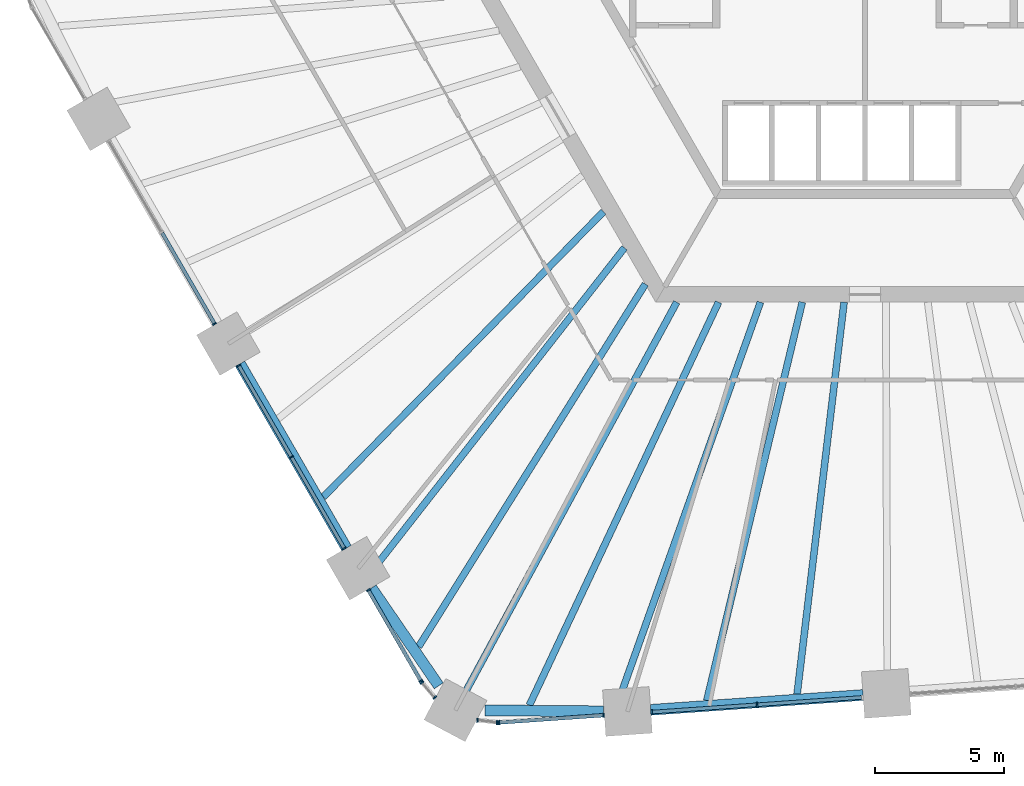
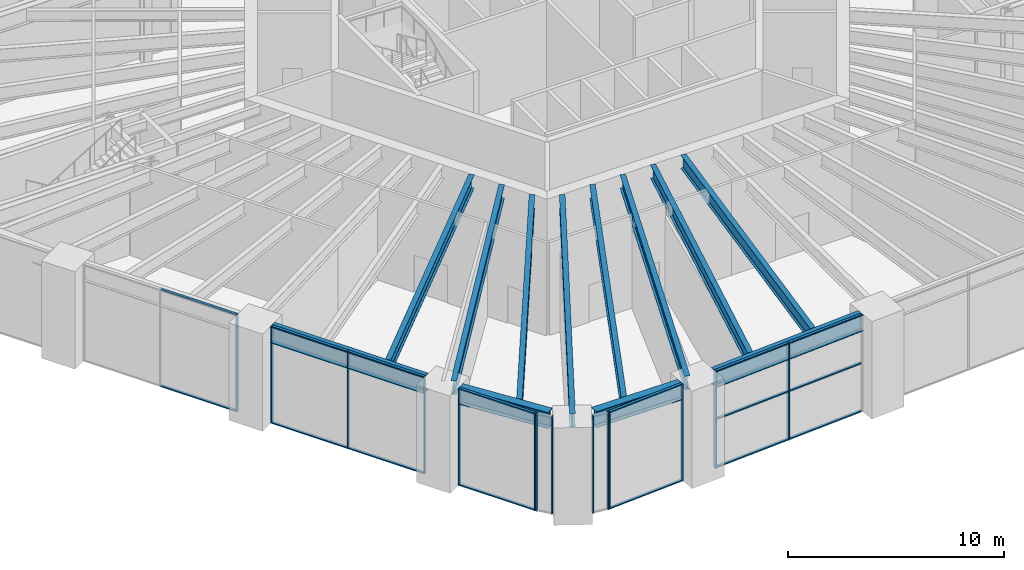
# One storey, part 3 of 30: 30 members, 12 beams, 7 elements without a shape of their own.
"""IFC4 building model written with IfcOpenShell, lengths in metres."""

from ifc_helpers import new_model, si_unit, direction, frame, origin, origin_2d, place, context, subcontext, project, spatial, rectangle, i_section, extrude, material, material_profile, profile_set, type_object, element, aggregate, save


model = new_model("IFC4")

# Units and contexts
model_context = context("Model", 3, precision=1e-05, world=origin(), true_north=direction((0.0, 1.0)))
body_context = subcontext(model_context, "Body", "Model", "MODEL_VIEW")
ifc_project = project(units=[si_unit("LENGTHUNIT", "METRE"), si_unit("AREAUNIT", "SQUARE_METRE"), si_unit("VOLUMEUNIT", "CUBIC_METRE"), si_unit("PLANEANGLEUNIT", "RADIAN"), si_unit("MASSUNIT", "GRAM", prefix="KILO")], contexts=[model_context])

# Site, building, storey
site_placement = place(None, origin())
site = spatial("IfcSite", under=ifc_project, at=site_placement, CompositionType="ELEMENT")
building_placement = place(site_placement, origin())
building = spatial("IfcBuilding", under=site, at=building_placement, Name="Tarnside Tower", CompositionType="ELEMENT")
storey_placement = place(building_placement, frame((0.0, 0.0, 15.0)))
storey = spatial("IfcBuildingStorey", under=building, at=storey_placement, Name="L02", CompositionType="ELEMENT", Elevation=15.0)

# Beams
ifc_material_1 = material(Name="Steel S355", Category="steel")
ifc_material_profile_1 = material_profile(ifc_material_1, i_section(OverallWidth=0.26513671875, OverallDepth=0.75390625, WebThickness=0.0126953125, FlangeThickness=0.017578125, FilletRadius=0.0166015625, at=origin_2d()), Name="UB 762x267x147")
ifc_profile_set_1 = profile_set([ifc_material_profile_1], Name="Steel S355")
beam_type_1 = type_object("IfcBeamType", Name="Floor beam UB 762x267x147", PredefinedType="BEAM", material=ifc_profile_set_1)
beam_1_placement = place(storey_placement, frame((-20.9296875, -21.528076171875, 4.873046875), z_axis=(0.700544155211, 0.713609057258, 0.0), x_axis=(-0.713609057258, 0.700544155211, 0.0)))
element("IfcBeam", 1, at=beam_1_placement, inside=storey, type_object=beam_type_1, Name="Floor beam F3.07", PredefinedType="BEAM", context=body_context, shape_type="SweptSolid", body=[
    extrude(i_section(OverallWidth=0.26513671875, OverallDepth=0.75390625, WebThickness=0.0126953125, FlangeThickness=0.017578125, FilletRadius=0.0166015625, at=origin_2d()), origin(), (0.0, 0.0, 1.0), 15.453857421875),
])
beam_2_placement = place(storey_placement, frame((-6.113037109375, -29.3876953125, 4.873046875), z_axis=(0.233085254069, 0.972456304589, 0.0), x_axis=(-0.972456304589, 0.233085254069, 0.0)))
element("IfcBeam", 2, at=beam_2_placement, inside=storey, type_object=beam_type_1, Name="Floor beam F4.03", PredefinedType="BEAM", context=body_context, shape_type="SweptSolid", body=[
    extrude(i_section(OverallWidth=0.26513671875, OverallDepth=0.75390625, WebThickness=0.0126953125, FlangeThickness=0.017578125, FilletRadius=0.0166015625, at=origin_2d()), origin(), (0.0, 0.0, 1.0), 15.823486328125),
])
beam_3_placement = place(storey_placement, frame((-2.62451171875, -29.143798828125, 4.873046875), z_axis=(0.119074527858, 0.992885319065, 0.0), x_axis=(-0.992885319065, 0.119074527858, 0.0)))
element("IfcBeam", 3, at=beam_3_placement, inside=storey, type_object=beam_type_1, Name="Floor beam F4.04", PredefinedType="BEAM", context=body_context, shape_type="SweptSolid", body=[
    extrude(i_section(OverallWidth=0.26513671875, OverallDepth=0.75390625, WebThickness=0.0126953125, FlangeThickness=0.017578125, FilletRadius=0.0166015625, at=origin_2d()), origin(), (0.0, 0.0, 1.0), 15.252197265625),
])
ifc_material_profile_2 = material_profile(ifc_material_1, i_section(OverallWidth=0.2666015625, OverallDepth=0.76220703125, WebThickness=0.014404296875, FlangeThickness=0.021484375, FilletRadius=0.0166015625, at=origin_2d()), Name="UB 762x267x173")
ifc_profile_set_2 = profile_set([ifc_material_profile_2], Name="Steel S355")
beam_type_2 = type_object("IfcBeamType", Name="Floor beam UB 762x267x173", PredefinedType="BEAM", material=ifc_profile_set_2)
beam_4_placement = place(storey_placement, frame((-19.159912109375, -24.52587890625, 4.868896484375), z_axis=(0.615661783207, 0.788010513063, 0.0), x_axis=(-0.788010513063, 0.615661783207, 0.0)))
element("IfcBeam", 4, at=beam_4_placement, inside=storey, type_object=beam_type_2, Name="Floor beam F3.08", PredefinedType="BEAM", context=body_context, shape_type="SweptSolid", body=[
    extrude(i_section(OverallWidth=0.2666015625, OverallDepth=0.76220703125, WebThickness=0.014404296875, FlangeThickness=0.021484375, FilletRadius=0.0166015625, at=origin_2d()), origin(), (0.0, 0.0, 1.0), 16.022705078125),
])
beam_5_placement = place(storey_placement, frame((-17.248779296875, -27.31103515625, 4.868896484375), z_axis=(0.530210075877, 0.847866307526, 0.0), x_axis=(-0.847866307526, 0.530210075877, 0.0)))
element("IfcBeam", 5, at=beam_5_placement, inside=storey, type_object=beam_type_2, Name="Floor beam F3.09", PredefinedType="BEAM", context=body_context, shape_type="SweptSolid", body=[
    extrude(i_section(OverallWidth=0.2666015625, OverallDepth=0.76220703125, WebThickness=0.014404296875, FlangeThickness=0.021484375, FilletRadius=0.0166015625, at=origin_2d()), origin(), (0.0, 0.0, 1.0), 16.52490234375),
])
beam_6_placement = place(storey_placement, frame((-15.70458984375, -29.550537109375, 4.868896484375), z_axis=(0.476577025957, 0.879132719406, 0.0), x_axis=(-0.879132719406, 0.476577025957, 0.0)))
element("IfcBeam", 6, at=beam_6_placement, inside=storey, type_object=beam_type_2, Name="Floor beam C3", PredefinedType="BEAM", context=body_context, shape_type="SweptSolid", body=[
    extrude(i_section(OverallWidth=0.2666015625, OverallDepth=0.76220703125, WebThickness=0.014404296875, FlangeThickness=0.021484375, FilletRadius=0.0166015625, at=origin_2d()), origin(), (0.0, 0.0, 1.0), 17.6884765625),
])
beam_7_placement = place(storey_placement, frame((-12.9677734375, -29.572265625, 4.868896484375), z_axis=(0.424925412272, 0.905228365665, 0.0), x_axis=(-0.905228365665, 0.424925412272, 0.0)))
element("IfcBeam", 7, at=beam_7_placement, inside=storey, type_object=beam_type_2, Name="Floor beam F4.01", PredefinedType="BEAM", context=body_context, shape_type="SweptSolid", body=[
    extrude(i_section(OverallWidth=0.2666015625, OverallDepth=0.76220703125, WebThickness=0.014404296875, FlangeThickness=0.021484375, FilletRadius=0.0166015625, at=origin_2d()), origin(), (0.0, 0.0, 1.0), 17.20263671875),
])
beam_8_placement = place(storey_placement, frame((-9.59130859375, -29.599365234375, 4.868896484375), z_axis=(0.335190018245, 0.942150546181, 0.0), x_axis=(-0.942150546181, 0.335190018245, 0.0)))
element("IfcBeam", 8, at=beam_8_placement, inside=storey, type_object=beam_type_2, Name="Floor beam F4.02", PredefinedType="BEAM", context=body_context, shape_type="SweptSolid", body=[
    extrude(i_section(OverallWidth=0.2666015625, OverallDepth=0.76220703125, WebThickness=0.014404296875, FlangeThickness=0.021484375, FilletRadius=0.0166015625, at=origin_2d()), origin(), (0.0, 0.0, 1.0), 16.55712890625),
])

# Curtain wall, members
ifc_material_2 = material(Name="Lobby entrance glazing wall", Category="glass")
curtain_wall_type_1 = type_object("IfcCurtainWallType", Name="Lobby entrance glazing wall", PredefinedType="NOTDEFINED", material=ifc_material_2)
curtain_wall_1_placement = place(storey_placement, origin())
curtain_wall_1 = element("IfcCurtainWall", 9, at=curtain_wall_1_placement, inside=storey, type_object=curtain_wall_type_1, Name="Lobby entrance glazing L02 12.0", PredefinedType="NOTDEFINED")
ifc_material_3 = material(Name="Aluminium alloy 6063", Category="aluminium")
ifc_material_profile_3 = material_profile(ifc_material_3, rectangle(XDim=0.179931640625, YDim=0.070068359375, at=origin_2d()), Name="Lobby entrance glazing mullion 70 x 180")
ifc_profile_set_3 = profile_set([ifc_material_profile_3], Name="Aluminium alloy 6063")
member_type_1 = type_object("IfcMemberType", Name="Lobby entrance glazing mullion 70 x 180", PredefinedType="MULLION", material=ifc_profile_set_3)
member_1_placement = place(storey_placement, frame((-8.238525390625, -29.83740234375, -0.25), z_axis=(0.0, 0.0, 1.0), x_axis=(-0.069756473779, 0.997564050257, 0.0)))
member_1 = element("IfcMember", 10, at=member_1_placement, type_object=member_type_1, Name="CW3 mullion 1", PredefinedType="MULLION", context=body_context, shape_type="SweptSolid", body=[
    extrude(rectangle(XDim=0.179931640625, YDim=0.070068359375, at=origin_2d()), origin(), (0.0, 0.0, 1.0), 5.5),
])
member_2_placement = place(storey_placement, frame((-4.171630859375, -29.552978515625, -0.25), z_axis=(0.0, 0.0, 1.0), x_axis=(-0.069756473779, 0.997564050257, 0.0)))
member_2 = element("IfcMember", 11, at=member_2_placement, type_object=member_type_1, Name="CW3 mullion 2", PredefinedType="MULLION", context=body_context, shape_type="SweptSolid", body=[
    extrude(rectangle(XDim=0.179931640625, YDim=0.070068359375, at=origin_2d()), origin(), (0.0, 0.0, 1.0), 5.5),
])
ifc_material_profile_4 = material_profile(ifc_material_3, rectangle(XDim=0.139892578125, YDim=0.070068359375, at=origin_2d()), Name="Lobby entrance glazing transom 70 x 140")
ifc_profile_set_4 = profile_set([ifc_material_profile_4], Name="Aluminium alloy 6063")
member_type_2 = type_object("IfcMemberType", Name="Lobby entrance glazing transom 70 x 140", PredefinedType="USERDEFINED", material=ifc_profile_set_4)
member_3_placement = place(storey_placement, frame((-8.20361328125, -29.8349609375, -0.215087890625), z_axis=(0.997563379301, 0.069766068245, 0.0), x_axis=(-0.069766068245, 0.997563379301, 0.0)))
member_3 = element("IfcMember", 12, at=member_3_placement, type_object=member_type_2, Name="CW3 transom 1.1", ObjectType="TRANSOM", PredefinedType="USERDEFINED", context=body_context, shape_type="SweptSolid", body=[
    extrude(rectangle(XDim=0.139892578125, YDim=0.070068359375, at=origin_2d()), origin(), (0.0, 0.0, 1.0), 4.0068359375),
])
member_4_placement = place(storey_placement, frame((-8.20361328125, -29.8349609375, 2.5), z_axis=(0.997563379301, 0.069766068245, 0.0), x_axis=(-0.069766068245, 0.997563379301, 0.0)))
member_4 = element("IfcMember", 13, at=member_4_placement, type_object=member_type_2, Name="CW3 transom 1.2", ObjectType="TRANSOM", PredefinedType="USERDEFINED", context=body_context, shape_type="SweptSolid", body=[
    extrude(rectangle(XDim=0.139892578125, YDim=0.070068359375, at=origin_2d()), origin(), (0.0, 0.0, 1.0), 4.0068359375),
])
member_5_placement = place(storey_placement, frame((-8.20361328125, -29.8349609375, 5.215087890625), z_axis=(0.997563379301, 0.069766068245, 0.0), x_axis=(-0.069766068245, 0.997563379301, 0.0)))
member_5 = element("IfcMember", 14, at=member_5_placement, type_object=member_type_2, Name="CW3 transom 1.3", ObjectType="TRANSOM", PredefinedType="USERDEFINED", context=body_context, shape_type="SweptSolid", body=[
    extrude(rectangle(XDim=0.139892578125, YDim=0.070068359375, at=origin_2d()), origin(), (0.0, 0.0, 1.0), 4.0068359375),
])
member_6_placement = place(storey_placement, frame((-4.13671875, -29.550537109375, -0.215087890625), z_axis=(0.997563379301, 0.069766068245, 0.0), x_axis=(-0.069766068245, 0.997563379301, 0.0)))
member_6 = element("IfcMember", 15, at=member_6_placement, type_object=member_type_2, Name="CW3 transom 2.1", ObjectType="TRANSOM", PredefinedType="USERDEFINED", context=body_context, shape_type="SweptSolid", body=[
    extrude(rectangle(XDim=0.139892578125, YDim=0.070068359375, at=origin_2d()), origin(), (0.0, 0.0, 1.0), 4.0068359375),
])
member_7_placement = place(storey_placement, frame((-4.13671875, -29.550537109375, 2.5), z_axis=(0.997563379301, 0.069766068245, 0.0), x_axis=(-0.069766068245, 0.997563379301, 0.0)))
member_7 = element("IfcMember", 16, at=member_7_placement, type_object=member_type_2, Name="CW3 transom 2.2", ObjectType="TRANSOM", PredefinedType="USERDEFINED", context=body_context, shape_type="SweptSolid", body=[
    extrude(rectangle(XDim=0.139892578125, YDim=0.070068359375, at=origin_2d()), origin(), (0.0, 0.0, 1.0), 4.0068359375),
])
member_8_placement = place(storey_placement, frame((-4.13671875, -29.550537109375, 5.215087890625), z_axis=(0.997563379301, 0.069766068245, 0.0), x_axis=(-0.069766068245, 0.997563379301, 0.0)))
member_8 = element("IfcMember", 17, at=member_8_placement, type_object=member_type_2, Name="CW3 transom 2.3", ObjectType="TRANSOM", PredefinedType="USERDEFINED", context=body_context, shape_type="SweptSolid", body=[
    extrude(rectangle(XDim=0.139892578125, YDim=0.070068359375, at=origin_2d()), origin(), (0.0, 0.0, 1.0), 4.0068359375),
])
aggregate(curtain_wall_1, [member_1, member_2, member_3, member_4, member_5, member_6, member_7, member_8])

# Beams
ifc_material_4 = material(Name="Steel S460", Category="steel")
ifc_material_profile_5 = material_profile(ifc_material_4, i_section(OverallWidth=0.42041015625, OverallDepth=0.9208984375, WebThickness=0.021484375, FlangeThickness=0.03662109375, FilletRadius=0.024169921875, at=origin_2d()), Name="UB 914x419x388")
ifc_profile_set_5 = profile_set([ifc_material_profile_5], Name="Steel S460")
beam_type_3 = type_object("IfcBeamType", Name="Perimeter girder UB 914x419x388", PredefinedType="BEAM", material=ifc_profile_set_5)
beam_9_placement = place(storey_placement, frame((-24.145751953125, -16.378173828125, 4.78955078125), z_axis=(0.499989712218, -0.866031343357, 0.0), x_axis=(0.866031343357, 0.499989712218, 0.0)))
element("IfcBeam", 18, at=beam_9_placement, inside=storey, type_object=beam_type_3, Name="Perimeter girder M10", PredefinedType="BEAM", context=body_context, shape_type="SweptSolid", body=[
    extrude(i_section(OverallWidth=0.42041015625, OverallDepth=0.9208984375, WebThickness=0.021484375, FlangeThickness=0.03662109375, FilletRadius=0.024169921875, at=origin_2d()), origin(), (0.0, 0.0, 1.0), 8.223876953125),
])
for number, where, z_axis, x_axis, name in (
    (19, (-19.0634765625, -25.0380859375, 4.78955078125), (0.56579211703, -0.824547924809, 0.0), (0.824547924809, 0.56579211703, 0.0), "Perimeter girder M11"),
    (20, (-14.68359375, -29.768798828125, 4.78955078125), (0.999968120657, -0.007984839931, 0.0), (0.007984839931, 0.999968120657, 0.0), "Perimeter girder M12"),
):
    element("IfcBeam", number, at=place(storey_placement, frame(where, z_axis=z_axis, x_axis=x_axis)), inside=storey, type_object=beam_type_3, Name=name, PredefinedType="BEAM", context=body_context, shape_type="SweptSolid", body=[
        extrude(i_section(OverallWidth=0.42041015625, OverallDepth=0.9208984375, WebThickness=0.021484375, FlangeThickness=0.03662109375, FilletRadius=0.024169921875, at=origin_2d()), origin(), (0.0, 0.0, 1.0), 4.58642578125),
    ])
beam_10_placement = place(storey_placement, frame((-8.27978515625, -29.75, 4.78955078125), z_axis=(0.99756353515, 0.069763839764, 0.0), x_axis=(-0.069763839764, 0.99756353515, 0.0)))
element("IfcBeam", 21, at=beam_10_placement, inside=storey, type_object=beam_type_3, Name="Perimeter girder M13", PredefinedType="BEAM", context=body_context, shape_type="SweptSolid", body=[
    extrude(i_section(OverallWidth=0.42041015625, OverallDepth=0.9208984375, WebThickness=0.021484375, FlangeThickness=0.03662109375, FilletRadius=0.024169921875, at=origin_2d()), origin(), (0.0, 0.0, 1.0), 8.223876953125),
])

# Curtain wall, member
ifc_material_5 = material(Name="Retail shopfront glazing wall", Category="glass")
curtain_wall_type_2 = type_object("IfcCurtainWallType", Name="Retail shopfront glazing wall", PredefinedType="NOTDEFINED", material=ifc_material_5)
curtain_wall_2_placement = place(storey_placement, origin())
curtain_wall_2 = element("IfcCurtainWall", 22, at=curtain_wall_2_placement, inside=storey, type_object=curtain_wall_type_2, Name="Retail shopfront glazing L02 08.0", PredefinedType="NOTDEFINED")
ifc_material_profile_6 = material_profile(ifc_material_3, rectangle(XDim=0.159912109375, YDim=0.06005859375, at=origin_2d()), Name="Retail shopfront glazing mullion 60 x 160")
ifc_profile_set_6 = profile_set([ifc_material_profile_6], Name="Aluminium alloy 6063")
member_type_3 = type_object("IfcMemberType", Name="Retail shopfront glazing mullion 60 x 160", PredefinedType="MULLION", material=ifc_profile_set_6)
member_9_placement = place(storey_placement, frame((-25.130126953125, -14.83349609375, -0.25), z_axis=(0.0, 0.0, 1.0), x_axis=(0.866025403819, 0.49999999994, 0.0)))
member_9 = element("IfcMember", 23, at=member_9_placement, type_object=member_type_3, Name="CW2 mullion 3", PredefinedType="MULLION", context=body_context, shape_type="SweptSolid", body=[
    extrude(rectangle(XDim=0.159912109375, YDim=0.06005859375, at=origin_2d()), origin(), (0.0, 0.0, 1.0), 5.5),
])

# Curtain wall, members
curtain_wall_3_placement = place(storey_placement, origin())
curtain_wall_3 = element("IfcCurtainWall", 24, at=curtain_wall_3_placement, inside=storey, type_object=curtain_wall_type_2, Name="Retail shopfront glazing L02 09.0", PredefinedType="NOTDEFINED")
member_10_placement = place(storey_placement, frame((-24.2001953125, -16.4443359375, -0.25), z_axis=(0.0, 0.0, 1.0), x_axis=(0.866025403741, 0.500000000076, 0.0)))
member_10 = element("IfcMember", 25, at=member_10_placement, type_object=member_type_3, Name="CW2 mullion 1", PredefinedType="MULLION", context=body_context, shape_type="SweptSolid", body=[
    extrude(rectangle(XDim=0.159912109375, YDim=0.06005859375, at=origin_2d()), origin(), (0.0, 0.0, 1.0), 5.5),
])
member_11_placement = place(storey_placement, frame((-22.1591796875, -19.979248046875, -0.25), z_axis=(0.0, 0.0, 1.0), x_axis=(0.866025403741, 0.500000000076, 0.0)))
member_11 = element("IfcMember", 26, at=member_11_placement, type_object=member_type_3, Name="CW2 mullion 2", PredefinedType="MULLION", context=body_context, shape_type="SweptSolid", body=[
    extrude(rectangle(XDim=0.159912109375, YDim=0.06005859375, at=origin_2d()), origin(), (0.0, 0.0, 1.0), 5.5),
])
member_12_placement = place(storey_placement, frame((-20.1181640625, -23.51416015625, -0.25), z_axis=(0.0, 0.0, 1.0), x_axis=(0.866025403741, 0.500000000076, 0.0)))
member_12 = element("IfcMember", 27, at=member_12_placement, type_object=member_type_3, Name="CW2 mullion 3", PredefinedType="MULLION", context=body_context, shape_type="SweptSolid", body=[
    extrude(rectangle(XDim=0.159912109375, YDim=0.06005859375, at=origin_2d()), origin(), (0.0, 0.0, 1.0), 5.5),
])

curtain_wall_4_placement = place(storey_placement, origin())
curtain_wall_4 = element("IfcCurtainWall", 28, at=curtain_wall_4_placement, inside=storey, type_object=curtain_wall_type_2, Name="Retail shopfront glazing L02 10.0", PredefinedType="NOTDEFINED")
member_13_placement = place(storey_placement, frame((-19.188232421875, -25.125, -0.25), z_axis=(0.0, 0.0, 1.0), x_axis=(0.866025403872, 0.499999999849, 0.0)))
member_13 = element("IfcMember", 29, at=member_13_placement, type_object=member_type_3, Name="CW2 mullion 1", PredefinedType="MULLION", context=body_context, shape_type="SweptSolid", body=[
    extrude(rectangle(XDim=0.159912109375, YDim=0.06005859375, at=origin_2d()), origin(), (0.0, 0.0, 1.0), 5.5),
])
member_14_placement = place(storey_placement, frame((-17.162353515625, -28.634033203125, -0.25), z_axis=(0.0, 0.0, 1.0), x_axis=(0.866025403872, 0.499999999849, 0.0)))
member_14 = element("IfcMember", 30, at=member_14_placement, type_object=member_type_3, Name="CW2 mullion 2", PredefinedType="MULLION", context=body_context, shape_type="SweptSolid", body=[
    extrude(rectangle(XDim=0.159912109375, YDim=0.06005859375, at=origin_2d()), origin(), (0.0, 0.0, 1.0), 5.5),
])

curtain_wall_5_placement = place(storey_placement, origin())
curtain_wall_5 = element("IfcCurtainWall", 31, at=curtain_wall_5_placement, inside=storey, type_object=curtain_wall_type_2, Name="Retail shopfront glazing L02 10.1", PredefinedType="NOTDEFINED")
member_15_placement = place(storey_placement, frame((-17.119140625, -28.69482421875, -0.25), z_axis=(0.0, 0.0, 1.0), x_axis=(0.758513583345, 0.651657228826, 0.0)))
member_15 = element("IfcMember", 32, at=member_15_placement, type_object=member_type_3, Name="CW2 mullion 1", PredefinedType="MULLION", context=body_context, shape_type="SweptSolid", body=[
    extrude(rectangle(XDim=0.159912109375, YDim=0.06005859375, at=origin_2d()), origin(), (0.0, 0.0, 1.0), 5.5),
])
member_16_placement = place(storey_placement, frame((-16.623046875, -29.2724609375, -0.25), z_axis=(0.0, 0.0, 1.0), x_axis=(0.758513583345, 0.651657228826, 0.0)))
member_16 = element("IfcMember", 33, at=member_16_placement, type_object=member_type_3, Name="CW2 mullion 2", PredefinedType="MULLION", context=body_context, shape_type="SweptSolid", body=[
    extrude(rectangle(XDim=0.159912109375, YDim=0.06005859375, at=origin_2d()), origin(), (0.0, 0.0, 1.0), 5.5),
])
aggregate(curtain_wall_5, [member_15, member_16])

curtain_wall_6_placement = place(storey_placement, origin())
curtain_wall_6 = element("IfcCurtainWall", 34, at=curtain_wall_6_placement, inside=storey, type_object=curtain_wall_type_2, Name="Retail shopfront glazing L02 11.0", PredefinedType="NOTDEFINED")
member_17_placement = place(storey_placement, frame((-14.972412109375, -30.14990234375, -0.25), z_axis=(0.0, 0.0, 1.0), x_axis=(0.116092914044, 0.993238357751, 0.0)))
member_17 = element("IfcMember", 35, at=member_17_placement, type_object=member_type_3, Name="CW2 mullion 1", PredefinedType="MULLION", context=body_context, shape_type="SweptSolid", body=[
    extrude(rectangle(XDim=0.159912109375, YDim=0.06005859375, at=origin_2d()), origin(), (0.0, 0.0, 1.0), 5.5),
])
member_18_placement = place(storey_placement, frame((-14.21630859375, -30.23828125, -0.25), z_axis=(0.0, 0.0, 1.0), x_axis=(0.116092914044, 0.993238357751, 0.0)))
member_18 = element("IfcMember", 36, at=member_18_placement, type_object=member_type_3, Name="CW2 mullion 2", PredefinedType="MULLION", context=body_context, shape_type="SweptSolid", body=[
    extrude(rectangle(XDim=0.159912109375, YDim=0.06005859375, at=origin_2d()), origin(), (0.0, 0.0, 1.0), 5.5),
])
aggregate(curtain_wall_6, [member_17, member_18])

curtain_wall_7_placement = place(storey_placement, origin())
curtain_wall_7 = element("IfcCurtainWall", 37, at=curtain_wall_7_placement, inside=storey, type_object=curtain_wall_type_2, Name="Retail shopfront glazing L02 11.1", PredefinedType="NOTDEFINED")
member_19_placement = place(storey_placement, frame((-14.1416015625, -30.240234375, -0.25), z_axis=(0.0, 0.0, 1.0), x_axis=(-0.069756473918, 0.997564050248, 0.0)))
member_19 = element("IfcMember", 38, at=member_19_placement, type_object=member_type_3, Name="CW2 mullion 1", PredefinedType="MULLION", context=body_context, shape_type="SweptSolid", body=[
    extrude(rectangle(XDim=0.159912109375, YDim=0.06005859375, at=origin_2d()), origin(), (0.0, 0.0, 1.0), 5.5),
])
member_20_placement = place(storey_placement, frame((-10.099609375, -29.95751953125, -0.25), z_axis=(0.0, 0.0, 1.0), x_axis=(-0.069756473918, 0.997564050248, 0.0)))
member_20 = element("IfcMember", 39, at=member_20_placement, type_object=member_type_3, Name="CW2 mullion 2", PredefinedType="MULLION", context=body_context, shape_type="SweptSolid", body=[
    extrude(rectangle(XDim=0.159912109375, YDim=0.06005859375, at=origin_2d()), origin(), (0.0, 0.0, 1.0), 5.5),
])

# Member
ifc_material_profile_7 = material_profile(ifc_material_3, rectangle(XDim=0.139892578125, YDim=0.06005859375, at=origin_2d()), Name="Retail shopfront glazing transom 60 x 140")
ifc_profile_set_7 = profile_set([ifc_material_profile_7], Name="Aluminium alloy 6063")
member_type_4 = type_object("IfcMemberType", Name="Retail shopfront glazing transom 60 x 140", PredefinedType="USERDEFINED", material=ifc_profile_set_7)
member_21_placement = place(storey_placement, frame((-27.156005859375, -11.324462890625, -0.219970703125), z_axis=(0.500023722852, -0.866011706956, 0.0), x_axis=(0.866011706956, 0.500023722852, 0.0)))
member_21 = element("IfcMember", 40, at=member_21_placement, type_object=member_type_4, Name="CW2 transom 2.1", ObjectType="TRANSOM", PredefinedType="USERDEFINED", context=body_context, shape_type="SweptSolid", body=[
    extrude(rectangle(XDim=0.139892578125, YDim=0.06005859375, at=origin_2d()), origin(), (0.0, 0.0, 1.0), 4.021728515625),
])

member_22_placement = place(storey_placement, frame((-27.156005859375, -11.324462890625, 5.219970703125), z_axis=(0.500023722852, -0.866011706956, 0.0), x_axis=(0.866011706956, 0.500023722852, 0.0)))
member_22 = element("IfcMember", 41, at=member_22_placement, type_object=member_type_4, Name="CW2 transom 2.2", ObjectType="TRANSOM", PredefinedType="USERDEFINED", context=body_context, shape_type="SweptSolid", body=[
    extrude(rectangle(XDim=0.139892578125, YDim=0.06005859375, at=origin_2d()), origin(), (0.0, 0.0, 1.0), 4.021728515625),
])

aggregate(curtain_wall_2, [member_9, member_21, member_22])

member_23_placement = place(storey_placement, frame((-24.18505859375, -16.47021484375, -0.219970703125), z_axis=(0.500023722852, -0.866011706956, 0.0), x_axis=(0.866011706956, 0.500023722852, 0.0)))
member_23 = element("IfcMember", 42, at=member_23_placement, type_object=member_type_4, Name="CW2 transom 1.1", ObjectType="TRANSOM", PredefinedType="USERDEFINED", context=body_context, shape_type="SweptSolid", body=[
    extrude(rectangle(XDim=0.139892578125, YDim=0.06005859375, at=origin_2d()), origin(), (0.0, 0.0, 1.0), 4.021728515625),
])

member_24_placement = place(storey_placement, frame((-24.18505859375, -16.47021484375, 5.219970703125), z_axis=(0.500023722852, -0.866011706956, 0.0), x_axis=(0.866011706956, 0.500023722852, 0.0)))
member_24 = element("IfcMember", 43, at=member_24_placement, type_object=member_type_4, Name="CW2 transom 1.2", ObjectType="TRANSOM", PredefinedType="USERDEFINED", context=body_context, shape_type="SweptSolid", body=[
    extrude(rectangle(XDim=0.139892578125, YDim=0.06005859375, at=origin_2d()), origin(), (0.0, 0.0, 1.0), 4.021728515625),
])

member_25_placement = place(storey_placement, frame((-22.14404296875, -20.005126953125, -0.219970703125), z_axis=(0.499951909034, -0.866053167337, 0.0), x_axis=(0.866053167337, 0.499951909034, 0.0)))
member_25 = element("IfcMember", 44, at=member_25_placement, type_object=member_type_4, Name="CW2 transom 2.1", ObjectType="TRANSOM", PredefinedType="USERDEFINED", context=body_context, shape_type="SweptSolid", body=[
    extrude(rectangle(XDim=0.139892578125, YDim=0.06005859375, at=origin_2d()), origin(), (0.0, 0.0, 1.0), 4.02197265625),
])

member_26_placement = place(storey_placement, frame((-22.14404296875, -20.005126953125, 5.219970703125), z_axis=(0.499951909034, -0.866053167337, 0.0), x_axis=(0.866053167337, 0.499951909034, 0.0)))
member_26 = element("IfcMember", 45, at=member_26_placement, type_object=member_type_4, Name="CW2 transom 2.2", ObjectType="TRANSOM", PredefinedType="USERDEFINED", context=body_context, shape_type="SweptSolid", body=[
    extrude(rectangle(XDim=0.139892578125, YDim=0.06005859375, at=origin_2d()), origin(), (0.0, 0.0, 1.0), 4.02197265625),
])

aggregate(curtain_wall_3, [member_10, member_11, member_12, member_23, member_24, member_25, member_26])

member_27_placement = place(storey_placement, frame((-19.17333984375, -25.15087890625, -0.219970703125), z_axis=(0.500033033937, -0.866006330792, 0.0), x_axis=(0.866006330792, 0.500033033937, 0.0)))
member_27 = element("IfcMember", 46, at=member_27_placement, type_object=member_type_4, Name="CW2 transom 1.1", ObjectType="TRANSOM", PredefinedType="USERDEFINED", context=body_context, shape_type="SweptSolid", body=[
    extrude(rectangle(XDim=0.139892578125, YDim=0.06005859375, at=origin_2d()), origin(), (0.0, 0.0, 1.0), 3.991943359375),
])

member_28_placement = place(storey_placement, frame((-19.17333984375, -25.15087890625, 5.219970703125), z_axis=(0.500033033937, -0.866006330792, 0.0), x_axis=(0.866006330792, 0.500033033937, 0.0)))
member_28 = element("IfcMember", 47, at=member_28_placement, type_object=member_type_4, Name="CW2 transom 1.2", ObjectType="TRANSOM", PredefinedType="USERDEFINED", context=body_context, shape_type="SweptSolid", body=[
    extrude(rectangle(XDim=0.139892578125, YDim=0.06005859375, at=origin_2d()), origin(), (0.0, 0.0, 1.0), 3.991943359375),
])

aggregate(curtain_wall_4, [member_13, member_14, member_27, member_28])

member_29_placement = place(storey_placement, frame((-14.111572265625, -30.238037109375, -0.219970703125), z_axis=(0.997561948586, 0.069786522583, 0.0), x_axis=(-0.069786522583, 0.997561948586, 0.0)))
member_29 = element("IfcMember", 48, at=member_29_placement, type_object=member_type_4, Name="CW2 transom 1.1", ObjectType="TRANSOM", PredefinedType="USERDEFINED", context=body_context, shape_type="SweptSolid", body=[
    extrude(rectangle(XDim=0.139892578125, YDim=0.06005859375, at=origin_2d()), origin(), (0.0, 0.0, 1.0), 3.99169921875),
])

member_30_placement = place(storey_placement, frame((-14.111572265625, -30.238037109375, 5.219970703125), z_axis=(0.997561948586, 0.069786522583, 0.0), x_axis=(-0.069786522583, 0.997561948586, 0.0)))
member_30 = element("IfcMember", 49, at=member_30_placement, type_object=member_type_4, Name="CW2 transom 1.2", ObjectType="TRANSOM", PredefinedType="USERDEFINED", context=body_context, shape_type="SweptSolid", body=[
    extrude(rectangle(XDim=0.139892578125, YDim=0.06005859375, at=origin_2d()), origin(), (0.0, 0.0, 1.0), 3.99169921875),
])

aggregate(curtain_wall_7, [member_19, member_20, member_29, member_30])

save(model, "model.ifc")
